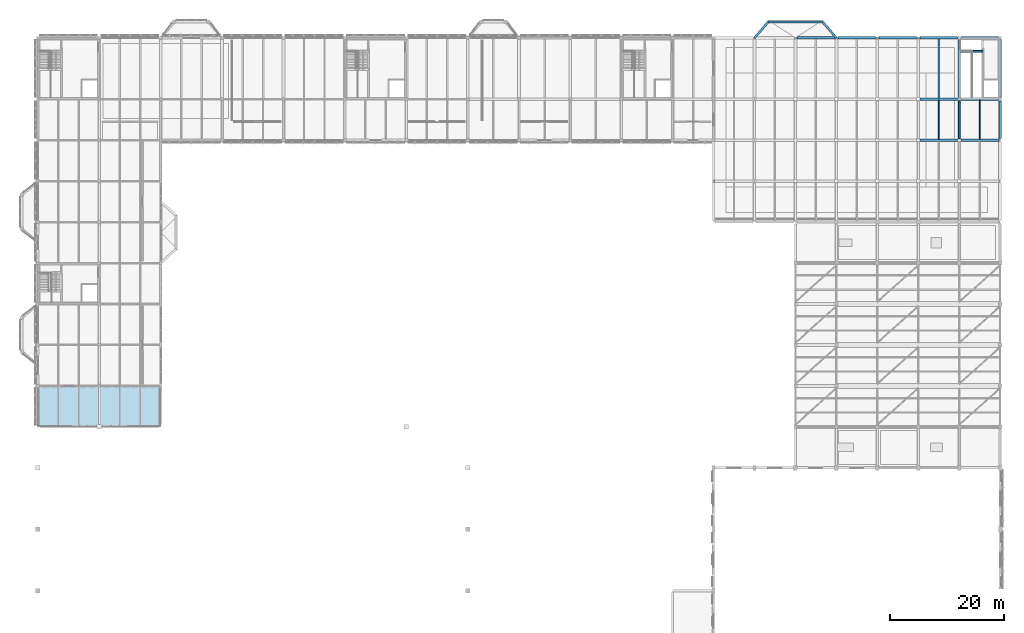
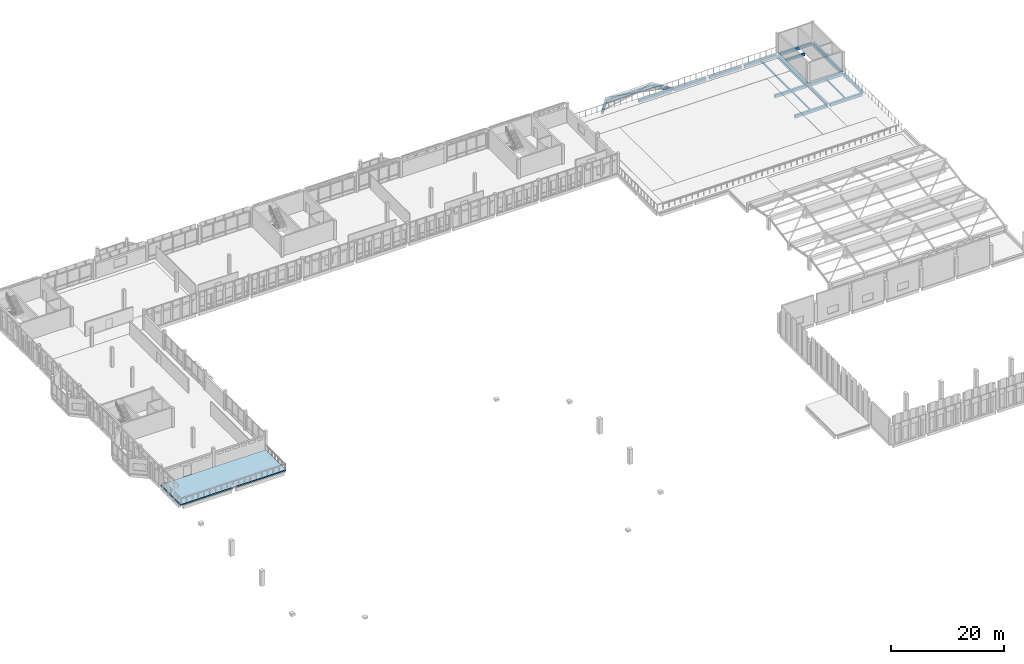
# One storey, part 48 of 72: 20 beams, 1 slab.
"""IFC4 building model written with IfcOpenShell, lengths in metres."""

from ifc_helpers import new_model, si_unit, direction, frame, origin, origin_2d, place, context, subcontext, project, spatial, polyline, rectangle, i_section, outline, extrude, material, layer, layer_set, material_profile, profile_set, type_object, element, save


model = new_model("IFC4")

# Units and contexts
model_context = context("Model", 3, precision=1e-05, world=origin(), true_north=direction((0.0, 1.0)))
body_context = subcontext(model_context, "Body", "Model", "MODEL_VIEW")
ifc_project = project(units=[si_unit("LENGTHUNIT", "METRE"), si_unit("AREAUNIT", "SQUARE_METRE"), si_unit("VOLUMEUNIT", "CUBIC_METRE"), si_unit("PLANEANGLEUNIT", "RADIAN"), si_unit("MASSUNIT", "GRAM", prefix="KILO")], contexts=[model_context])

# Site, building, storey
site_placement = place(None, origin())
site = spatial("IfcSite", under=ifc_project, at=site_placement, CompositionType="ELEMENT")
building_placement = place(site_placement, origin())
building = spatial("IfcBuilding", under=site, at=building_placement, Name="Lusvemor Sports Hall", CompositionType="ELEMENT")
storey_placement = place(building_placement, frame((0.0, 0.0, 15.0)))
storey = spatial("IfcBuildingStorey", under=building, at=storey_placement, Name="L03", CompositionType="ELEMENT", Elevation=15.0)

# Beams
ifc_material_1 = material(Name="Concrete C40/50", Category="concrete")
ifc_material_profile_1 = material_profile(ifc_material_1, rectangle(XDim=0.35009765625, YDim=0.550048828125, at=origin_2d()), Name="RC350x550")
ifc_profile_set_1 = profile_set([ifc_material_profile_1], Name="Concrete C40/50")
beam_type_1 = type_object("IfcBeamType", Name="BEAM_RC_550", PredefinedType="BEAM", material=ifc_profile_set_1)
beam_1_placement = place(storey_placement, frame((162.0, 97.49609375, -0.570068359375), z_axis=(0.0, 1.0, 0.0), x_axis=(-1.0, 0.0, 0.0)))
element("IfcBeam", 1, at=beam_1_placement, inside=storey, type_object=beam_type_1, Name="Beam L03 19:N-P", PredefinedType="BEAM", context=body_context, shape_type="SweptSolid", body=[
    extrude(rectangle(XDim=0.35009765625, YDim=0.550048828125, at=origin_2d()), origin(), (0.0, 0.0, 1.0), 6.60791015625),
])
beam_2_placement = place(storey_placement, frame((162.159912109375, 112.85009765625, -0.455078125), z_axis=(1.0, 0.0, 0.0), x_axis=(0.0, 1.0, 0.0)))
element("IfcBeam", 2, at=beam_2_placement, inside=storey, type_object=beam_type_1, Name="Stair STR-C5-L02 Top-Landing Beam", PredefinedType="BEAM", context=body_context, shape_type="SweptSolid", body=[
    extrude(rectangle(XDim=0.35009765625, YDim=0.550048828125, at=origin_2d()), origin(), (0.0, 0.0, 1.0), 3.97998046875),
])
ifc_material_2 = material(Name="Concrete C40/50", Category="concrete")
ifc_material_profile_2 = material_profile(ifc_material_2, rectangle(XDim=0.39990234375, YDim=0.64990234375, at=origin_2d()), Name="RC400x650")
ifc_profile_set_2 = profile_set([ifc_material_profile_2], Name="Concrete C40/50")
beam_type_2 = type_object("IfcBeamType", Name="BEAM_RC_650", PredefinedType="BEAM", material=ifc_profile_set_2)
beam_3_placement = place(storey_placement, frame((155.095947265625, 97.199951171875, -0.6201171875), z_axis=(1.0, 0.0, 0.0), x_axis=(0.0, 1.0, 0.0)))
element("IfcBeam", 3, at=beam_3_placement, inside=storey, type_object=beam_type_2, Name="Beam L03 N:18-19", PredefinedType="BEAM", context=body_context, shape_type="SweptSolid", body=[
    extrude(rectangle(XDim=0.39990234375, YDim=0.64990234375, at=origin_2d()), origin(), (0.0, 0.0, 1.0), 6.608154296875),
])
beam_4_placement = place(storey_placement, frame((162.2958984375, 97.199951171875, -0.6201171875), z_axis=(1.0, 0.0, 0.0), x_axis=(0.0, 1.0, 0.0)))
element("IfcBeam", 4, at=beam_4_placement, inside=storey, type_object=beam_type_2, Name="Beam L03 N:19-20", PredefinedType="BEAM", context=body_context, shape_type="SweptSolid", body=[
    extrude(rectangle(XDim=0.39990234375, YDim=0.64990234375, at=origin_2d()), origin(), (0.0, 0.0, 1.0), 6.628173828125),
])
beam_5_placement = place(storey_placement, frame((155.095947265625, 104.39990234375, -0.6201171875), z_axis=(1.0, 0.0, 0.0), x_axis=(0.0, 1.0, 0.0)))
element("IfcBeam", 5, at=beam_5_placement, inside=storey, type_object=beam_type_2, Name="Beam L03 P:18-19", PredefinedType="BEAM", context=body_context, shape_type="SweptSolid", body=[
    extrude(rectangle(XDim=0.39990234375, YDim=0.64990234375, at=origin_2d()), origin(), (0.0, 0.0, 1.0), 6.608154296875),
])
beam_6_placement = place(storey_placement, frame((162.2958984375, 104.39990234375, -0.6201171875), z_axis=(1.0, 0.0, 0.0), x_axis=(0.0, 1.0, 0.0)))
element("IfcBeam", 6, at=beam_6_placement, inside=storey, type_object=beam_type_2, Name="Beam L03 P:19-20", PredefinedType="BEAM", context=body_context, shape_type="SweptSolid", body=[
    extrude(rectangle(XDim=0.39990234375, YDim=0.64990234375, at=origin_2d()), origin(), (0.0, 0.0, 1.0), 6.628173828125),
])
ifc_material_3 = material(Name="Concrete C40/50", Category="concrete")
ifc_material_profile_3 = material_profile(ifc_material_3, rectangle(XDim=0.5, YDim=0.85009765625, at=origin_2d()), Name="RC500x850")
ifc_profile_set_3 = profile_set([ifc_material_profile_3], Name="Concrete C40/50")
beam_type_3 = type_object("IfcBeamType", Name="GIRD_RC_850", PredefinedType="T_BEAM", material=ifc_profile_set_3)
beam_7_placement = place(storey_placement, frame((162.0, 104.696044921875, -0.719970703125), z_axis=(0.0, 1.0, 0.0), x_axis=(-1.0, 0.0, 0.0)))
element("IfcBeam", 7, at=beam_7_placement, inside=storey, type_object=beam_type_3, Name="Beam L03 19:P-Q", PredefinedType="T_BEAM", context=body_context, shape_type="SweptSolid", body=[
    extrude(rectangle(XDim=0.5, YDim=0.85009765625, at=origin_2d()), origin(), (0.0, 0.0, 1.0), 10.18798828125),
])
ifc_material_4 = material(Name="Steel S355", Category="steel")
ifc_material_profile_4 = material_profile(ifc_material_4, i_section(OverallWidth=0.25390625, OverallDepth=0.305908203125, WebThickness=0.0087890625, FlangeThickness=0.0146484375, FilletRadius=0.014892578125, at=origin_2d()), Name="W310x79.0")
ifc_profile_set_4 = profile_set([ifc_material_profile_4], Name="Steel S355")
beam_type_4 = type_object("IfcBeamType", Name="JOIST_ST_310H", PredefinedType="JOIST", material=ifc_profile_set_4)
beam_8_placement = place(storey_placement, frame((158.39990234375, 104.595947265625, -0.451904296875), z_axis=(0.0, 1.0, 0.0), x_axis=(-1.0, 0.0, 0.0)))
element("IfcBeam", 8, at=beam_8_placement, inside=storey, type_object=beam_type_4, Name="Secondary Joist L03 18-19/P-Q #1", PredefinedType="JOIST", context=body_context, shape_type="SweptSolid", body=[
    extrude(i_section(OverallWidth=0.25390625, OverallDepth=0.305908203125, WebThickness=0.0087890625, FlangeThickness=0.0146484375, FilletRadius=0.014892578125, at=origin_2d()), origin(), (0.0, 0.0, 1.0), 10.407958984375),
])
ifc_material_5 = material(Name="Steel S355", Category="steel")
ifc_material_profile_5 = material_profile(ifc_material_5, i_section(OverallWidth=0.1669921875, OverallDepth=0.31689453125, WebThickness=0.007568359375, FlangeThickness=0.01318359375, FilletRadius=0.014892578125, at=origin_2d()), Name="W310x52.0")
ifc_profile_set_5 = profile_set([ifc_material_profile_5], Name="Steel S355")
beam_type_5 = type_object("IfcBeamType", Name="JOIST_ST_310M", PredefinedType="JOIST", material=ifc_profile_set_5)
for number, where, z_axis, x_axis, name in (
    (9, (158.39990234375, 97.39599609375, -0.45751953125), (0.0, 1.0, 0.0), (-1.0, 0.0, 0.0), "Secondary Joist L03 18-19/N-P #1"),
    (10, (165.60009765625, 97.39599609375, -0.45751953125), (0.0, 1.0, 0.0), (-1.0, 0.0, 0.0), "Secondary Joist L03 19-20/N-P #1"),
):
    element("IfcBeam", number, at=place(storey_placement, frame(where, z_axis=z_axis, x_axis=x_axis)), inside=storey, type_object=beam_type_5, Name=name, PredefinedType="JOIST", context=body_context, shape_type="SweptSolid", body=[
        extrude(i_section(OverallWidth=0.1669921875, OverallDepth=0.31689453125, WebThickness=0.007568359375, FlangeThickness=0.01318359375, FilletRadius=0.014892578125, at=origin_2d()), origin(), (0.0, 0.0, 1.0), 6.80810546875),
    ])
ifc_material_6 = material(Name="Concrete C40/50", Category="concrete")
ifc_material_profile_6 = material_profile(ifc_material_6, rectangle(XDim=0.39990234375, YDim=0.610107421875, at=origin_2d()), Name="RC400x610")
ifc_profile_set_6 = profile_set([ifc_material_profile_6], Name="Concrete C40/50")
beam_type_6 = type_object("IfcBeamType", Name="SPAND_EXT_650", PredefinedType="SPANDREL", material=ifc_profile_set_6)
for number, where, z_axis, x_axis, name in (
    (11, (133.47607421875, 115.199951171875, -0.60009765625), (1.0, 0.0, 0.0), (0.0, 1.0, 0.0), "Beam L03 Q:15-16"),
    (12, (140.676025390625, 115.199951171875, -0.60009765625), (1.0, 0.0, 0.0), (0.0, 1.0, 0.0), "Beam L03 Q:16-17"),
    (13, (147.8759765625, 115.199951171875, -0.60009765625), (1.0, 0.0, 0.0), (0.0, 1.0, 0.0), "Beam L03 Q:17-18"),
):
    element("IfcBeam", number, at=place(storey_placement, frame(where, z_axis=z_axis, x_axis=x_axis)), inside=storey, type_object=beam_type_6, Name=name, PredefinedType="SPANDREL", context=body_context, shape_type="SweptSolid", body=[
        extrude(rectangle(XDim=0.39990234375, YDim=0.610107421875, at=origin_2d()), origin(), (0.0, 0.0, 1.0), 6.64794921875),
    ])
for number, where, z_axis, x_axis, name in (
    (14, (155.075927734375, 115.199951171875, -0.60009765625), (1.0, 0.0, 0.0), (0.0, 1.0, 0.0), "Beam L03 Q:18-19"),
    (15, (162.27587890625, 115.199951171875, -0.60009765625), (1.0, 0.0, 0.0), (0.0, 1.0, 0.0), "Beam L03 Q:19-20"),
):
    element("IfcBeam", number, at=place(storey_placement, frame(where, z_axis=z_axis, x_axis=x_axis)), inside=storey, type_object=beam_type_6, Name=name, PredefinedType="SPANDREL", context=body_context, shape_type="SweptSolid", body=[
        extrude(rectangle(XDim=0.39990234375, YDim=0.610107421875, at=origin_2d()), origin(), (0.0, 0.0, 1.0), 6.648193359375),
    ])
beam_9_placement = place(storey_placement, frame((169.199951171875, 97.51611328125, -0.60009765625), z_axis=(0.0, 1.0, 0.0), x_axis=(-1.0, 0.0, 0.0)))
element("IfcBeam", 16, at=beam_9_placement, inside=storey, type_object=beam_type_6, Name="Beam L03 20:N-P", PredefinedType="SPANDREL", context=body_context, shape_type="SweptSolid", body=[
    extrude(rectangle(XDim=0.39990234375, YDim=0.610107421875, at=origin_2d()), origin(), (0.0, 0.0, 1.0), 6.56787109375),
])
beam_10_placement = place(storey_placement, frame((126.0, 115.199951171875, -0.56494140625), z_axis=(0.650769565339, 0.759275294494, 0.0), x_axis=(-0.759275294494, 0.650769565339, 0.0)))
element("IfcBeam", 17, at=beam_10_placement, inside=storey, type_object=beam_type_6, Name="Bow Pavilion Edge Beam BOW-N3 L03-1", PredefinedType="SPANDREL", context=body_context, shape_type="SweptSolid", body=[
    extrude(rectangle(XDim=0.39990234375, YDim=0.610107421875, at=origin_2d()), origin(), (0.0, 0.0, 1.0), 3.687744140625),
])
beam_11_placement = place(storey_placement, frame((128.39990234375, 118.0, -0.56494140625), z_axis=(1.0, 0.0, 0.0), x_axis=(0.0, 1.0, 0.0)))
element("IfcBeam", 18, at=beam_11_placement, inside=storey, type_object=beam_type_6, Name="Bow Pavilion Edge Beam BOW-N3 L03-2", PredefinedType="SPANDREL", context=body_context, shape_type="SweptSolid", body=[
    extrude(rectangle(XDim=0.39990234375, YDim=0.610107421875, at=origin_2d()), origin(), (0.0, 0.0, 1.0), 9.60009765625),
])
beam_12_placement = place(storey_placement, frame((138.0, 118.0, -0.56494140625), z_axis=(0.650769565339, -0.759275294494, 0.0), x_axis=(0.759275294494, 0.650769565339, 0.0)))
element("IfcBeam", 19, at=beam_12_placement, inside=storey, type_object=beam_type_6, Name="Bow Pavilion Edge Beam BOW-N3 L03-3", PredefinedType="SPANDREL", context=body_context, shape_type="SweptSolid", body=[
    extrude(rectangle(XDim=0.39990234375, YDim=0.610107421875, at=origin_2d()), origin(), (0.0, 0.0, 1.0), 3.687744140625),
])
ifc_material_7 = material(Name="Concrete C40/50", Category="concrete")
ifc_material_profile_7 = material_profile(ifc_material_7, rectangle(XDim=0.39990234375, YDim=0.699951171875, at=origin_2d()), Name="RC400x700")
ifc_profile_set_7 = profile_set([ifc_material_profile_7], Name="Concrete C40/50")
beam_type_7 = type_object("IfcBeamType", Name="SPAND_EXT_700", PredefinedType="SPANDREL", material=ifc_profile_set_7)
beam_13_placement = place(storey_placement, frame((169.199951171875, 104.716064453125, -0.64501953125), z_axis=(0.0, 1.0, 0.0), x_axis=(-1.0, 0.0, 0.0)))
element("IfcBeam", 20, at=beam_13_placement, inside=storey, type_object=beam_type_7, Name="Beam L03 20:P-Q", PredefinedType="SPANDREL", context=body_context, shape_type="SweptSolid", body=[
    extrude(rectangle(XDim=0.39990234375, YDim=0.699951171875, at=origin_2d()), origin(), (0.0, 0.0, 1.0), 10.16796875),
])

# Slab
ifc_material_8 = material(Name="Concrete C40/50", Category="concrete")
ifc_layer = layer(ifc_material_8, 0.27001953125)
ifc_layer_set = layer_set([ifc_layer], Name="Concrete C40/50")
slab_type = type_object("IfcSlabType", Name="SLAB_EXT_TERR_270", PredefinedType="FLOOR", material=ifc_layer_set)
slab_placement = place(storey_placement, frame((0.0, 0.0, -0.27001953125)))
element("IfcSlab", 21, at=slab_placement, inside=storey, type_object=slab_type, Name="Slab L03 V5-WTERR", PredefinedType="FLOOR", context=body_context, shape_type="SweptSolid", body=[
    extrude(outline(polyline([(0.0, 46.800048828125), (21.60009765625, 46.800048828125), (21.60009765625, 54.0), (0.0, 54.0), (0.0, 46.800048828125)])), origin(), (0.0, 0.0, 1.0), 0.27001953125),
])

save(model, "model.ifc")
